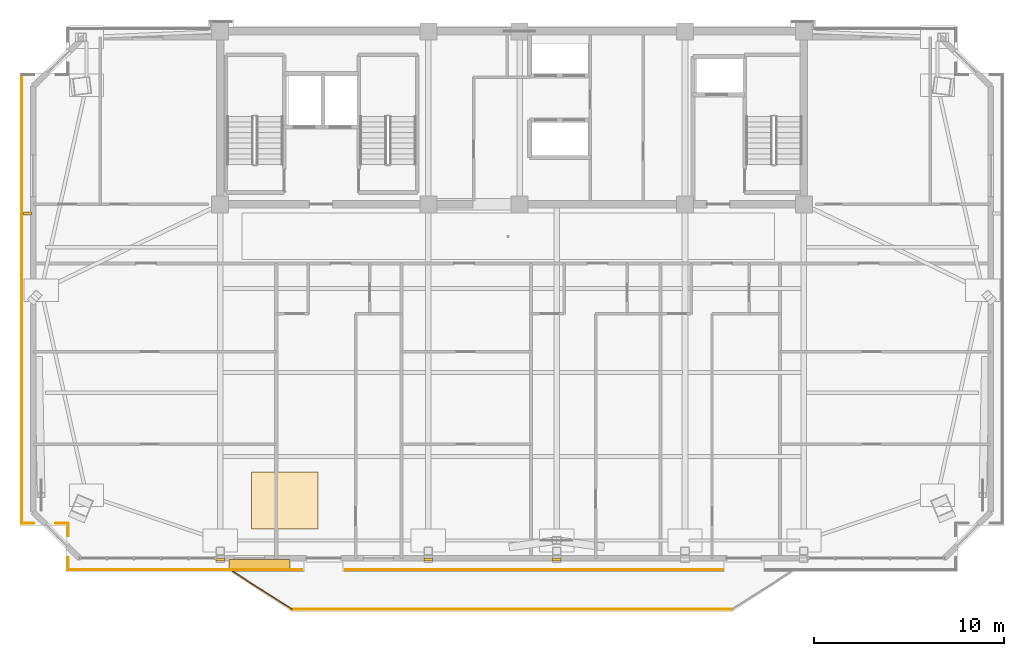
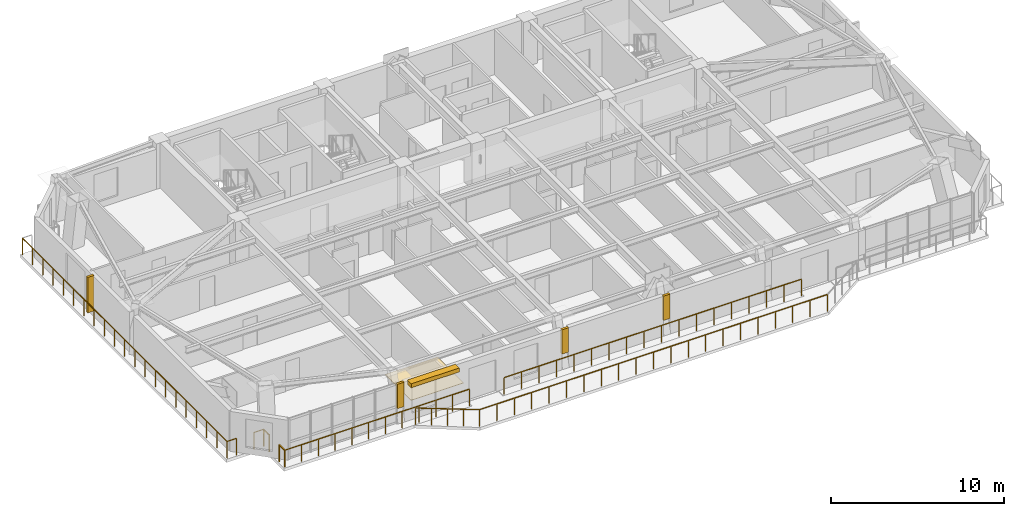
# One storey, part 12 of 15: 9 railings, 4 coverings, 2 shading devices.
"""IFC4 building model written with IfcOpenShell, lengths in metres."""

import ifcopenshell
import ifcopenshell.guid

model = None  # the IFC model being written
_history = None  # IfcOwnerHistory: only IFC2X3 demands one
_inside = {}  # id of a spatial element -> (the spatial element, [elements in it])
_under = {}  # id of a project, library or spatial element -> (it, [spatial elements below it])
_declared = {}  # id of a project -> (the project, [libraries it declares])
_typed = {}  # id of a type object -> (the type object, [elements of that type])
_made_of = {}  # id of a material, layer set ... -> (it, [elements and type objects made of it])


def new_model(schema):
    """Start an empty IFC model of exactly this schema.

    Asked for "IFC4X3", IfcOpenShell would pick the latest addendum, in which some entities
    have other attributes; the version numbers below select the first issue.
    IFC2X3 requires an IfcOwnerHistory on every rooted entity: one is made here for all.
    """
    global model, _history
    if schema == "IFC4X3":
        model = ifcopenshell.file(schema_version=(4, 3, 0, 0))
    else:
        model = ifcopenshell.file(schema=schema)
    _inside.clear()
    _under.clear()
    _declared.clear()
    _typed.clear()
    _made_of.clear()
    _history = None
    if model.schema == "IFC2X3":
        org = make("IfcOrganization", Name="unknown")
        user = make(
            "IfcPersonAndOrganization",
            ThePerson=make("IfcPerson", FamilyName="unknown"),
            TheOrganization=org,
        )
        app = make(
            "IfcApplication",
            ApplicationDeveloper=org,
            Version="unknown",
            ApplicationFullName="unknown",
            ApplicationIdentifier="unknown",
        )
        _history = make(
            "IfcOwnerHistory",
            OwningUser=user,
            OwningApplication=app,
            ChangeAction="ADDED",
            CreationDate=0,
        )
    return model


def make(cls, **values):
    """One entity of the class cls with the attributes given. An attribute that is None is left unset."""
    return model.create_entity(
        cls, **{name: value for name, value in values.items() if value is not None}
    )


def rooted(cls, **values):
    """An entity with a GlobalId (a new one), such as an element, a storey or a relation."""
    return make(cls, GlobalId=ifcopenshell.guid.new(), OwnerHistory=_history, **values)


def si_unit(unit_type, name, prefix=None):
    """IfcSIUnit, for example si_unit("LENGTHUNIT", "METRE", prefix="MILLI")."""
    return make("IfcSIUnit", UnitType=unit_type, Prefix=prefix, Name=name)


def assignment(units):
    """IfcUnitAssignment: the units of a project."""
    return None if units is None else make("IfcUnitAssignment", Units=units)


def point(xyz):
    """IfcCartesianPoint."""
    return None if xyz is None else make("IfcCartesianPoint", Coordinates=xyz)


def direction(xyz):
    """IfcDirection."""
    return None if xyz is None else make("IfcDirection", DirectionRatios=xyz)


def frame(location, z_axis=None, x_axis=None):
    """IfcAxis2Placement3D, a coordinate frame: its origin and axes. An axis left out is left unset."""
    return make(
        "IfcAxis2Placement3D",
        Location=point(location),
        Axis=direction(z_axis),
        RefDirection=direction(x_axis),
    )


def frame_2d(location, x_axis=None):
    """IfcAxis2Placement2D, a coordinate frame in the plane: its origin and x axis."""
    return make(
        "IfcAxis2Placement2D", Location=point(location), RefDirection=direction(x_axis)
    )


def origin():
    """The frame at (0, 0, 0) with its axes left unset."""
    return frame((0.0, 0.0, 0.0))


def origin_2d():
    """The frame at (0, 0) in the plane with its x axis left unset."""
    return frame_2d((0.0, 0.0))


def place(relative_to, where):
    """IfcLocalPlacement: puts the frame where relative to a parent placement (None: the world)."""
    return make(
        "IfcLocalPlacement", PlacementRelTo=relative_to, RelativePlacement=where
    )


def context(
    kind, dimensions, precision=None, world=None, true_north=None, identifier=None
):
    """IfcGeometricRepresentationContext, for example the 3D "Model" context."""
    return make(
        "IfcGeometricRepresentationContext",
        ContextIdentifier=identifier,
        ContextType=kind,
        CoordinateSpaceDimension=dimensions,
        Precision=precision,
        WorldCoordinateSystem=world,
        TrueNorth=true_north,
    )


def subcontext(parent, identifier, kind, view, scale=None):
    """IfcGeometricRepresentationSubContext, for example "Body" below "Model"."""
    return make(
        "IfcGeometricRepresentationSubContext",
        ContextIdentifier=identifier,
        ContextType=kind,
        ParentContext=parent,
        TargetScale=scale,
        TargetView=view,
    )


def project(units=None, contexts=None):
    """IfcProject with its units and contexts."""
    return rooted(
        "IfcProject",
        Name="project",
        RepresentationContexts=contexts,
        UnitsInContext=assignment(units),
    )


def spatial(cls, under=None, at=None, **own):
    """A site, building, storey or space (cls), placed at a placement, below another one or the project."""
    s = rooted(cls, ObjectPlacement=at, **own)
    if under is not None:
        _under.setdefault(under.id(), (under, []))[1].append(s)
    return s


def polyline(points):
    """IfcPolyline through the points."""
    return make("IfcPolyline", Points=[point(p) for p in points])


def profile(cls, at=None, kind="AREA", **sizes):
    """A parametric profile (cls). Its sizes go by their IFC names, for example OverallWidth=200.0."""
    return make(cls, ProfileType=kind, Position=at, **sizes)


def rectangle(**sizes):
    """IfcRectangleProfileDef."""
    return profile("IfcRectangleProfileDef", **sizes)


def outline(outer, holes=None, kind="AREA"):
    """IfcArbitraryClosedProfileDef: a profile drawn as a closed curve; with holes, ...WithVoids."""
    if holes is None:
        return make("IfcArbitraryClosedProfileDef", ProfileType=kind, OuterCurve=outer)
    return make(
        "IfcArbitraryProfileDefWithVoids",
        ProfileType=kind,
        OuterCurve=outer,
        InnerCurves=holes,
    )


def extrude(swept, where, along, depth):
    """IfcExtrudedAreaSolid: the profile swept, set in the frame where, extruded along a direction by depth."""
    return make(
        "IfcExtrudedAreaSolid",
        SweptArea=swept,
        Position=where,
        ExtrudedDirection=direction(along),
        Depth=depth,
    )


def shape(context_of_items, identifier, shape_type, items):
    """IfcShapeRepresentation: the items that make up one representation, for example the "Body"."""
    return make(
        "IfcShapeRepresentation",
        ContextOfItems=context_of_items,
        RepresentationIdentifier=identifier,
        RepresentationType=shape_type,
        Items=items,
    )


def source(mapping_origin, context_of_items, identifier, shape_type, items):
    """IfcRepresentationMap: a shape defined once, which mapped items show again and again."""
    return make(
        "IfcRepresentationMap",
        MappingOrigin=mapping_origin,
        MappedRepresentation=shape(context_of_items, identifier, shape_type, items),
    )


def transform(
    local_origin,
    x_axis=None,
    y_axis=None,
    z_axis=None,
    scale=None,
    scale2=None,
    scale3=None,
    uniform=True,
):
    """IfcCartesianTransformationOperator3D, or its non-uniform kind. x_axis, y_axis, z_axis: its Axis1, 2, 3."""
    if uniform:
        return make(
            "IfcCartesianTransformationOperator3D",
            Axis1=direction(x_axis),
            Axis2=direction(y_axis),
            LocalOrigin=point(local_origin),
            Scale=scale,
            Axis3=direction(z_axis),
        )
    return make(
        "IfcCartesianTransformationOperator3DnonUniform",
        Axis1=direction(x_axis),
        Axis2=direction(y_axis),
        LocalOrigin=point(local_origin),
        Scale=scale,
        Axis3=direction(z_axis),
        Scale2=scale2,
        Scale3=scale3,
    )


def mapped(mapping_source, mapping_target):
    """IfcMappedItem: shows the shape of a source again, moved by a transform."""
    return make(
        "IfcMappedItem", MappingSource=mapping_source, MappingTarget=mapping_target
    )


def material(Name=None, Category=None):
    """IfcMaterial."""
    return make("IfcMaterial", Name=Name, Category=Category)


def layer(
    of_material, thickness, ventilated=None, Name=None, Category=None, Priority=None
):
    """IfcMaterialLayer: one layer of a wall or slab, of a material (None: an air gap)."""
    return make(
        "IfcMaterialLayer",
        Material=of_material,
        LayerThickness=thickness,
        IsVentilated=ventilated,
        Name=Name,
        Category=Category,
        Priority=Priority,
    )


def layer_set(layers, Name=None):
    """IfcMaterialLayerSet."""
    return make("IfcMaterialLayerSet", MaterialLayers=layers, LayerSetName=Name)


def made_of(thing, what):
    """Note that an element or type object is made of a material, layer set ...; save() writes the relation."""
    if what is not None:
        _made_of.setdefault(what.id(), (what, []))[1].append(thing)
    return thing


def type_object(cls, material=None, **own):
    """A type object (cls), such as IfcWallType, which elements share."""
    return made_of(rooted(cls, **own), material)


def element(
    cls,
    number,
    at=None,
    inside=None,
    cuts=None,
    type_object=None,
    material=None,
    context=None,
    identifier="Body",
    shape_type=None,
    held_by="IfcProductDefinitionShape",
    body=None,
    shapes=None,
    **own,
):
    """One element of the class cls, such as IfcWall. Its Tag is "e" and its number.

    at: its placement. inside: the storey or other place that contains it. cuts: it is an
    opening in that element (IfcRelVoidsElement). A single representation is given by context,
    identifier, shape_type and body (its items); several are given by shapes. held_by: the class
    of the entity that holds the representations. save() writes the other relations.
    """
    e = rooted(cls, Tag="e%d" % number, ObjectPlacement=at, **own)
    if body is not None:
        shapes = [shape(context, identifier, shape_type, body)]
    if shapes is not None:
        e.Representation = make(held_by, Representations=shapes)
    if inside is not None:
        _inside.setdefault(inside.id(), (inside, []))[1].append(e)
    if cuts is not None:
        rooted(
            "IfcRelVoidsElement", RelatingBuildingElement=cuts, RelatedOpeningElement=e
        )
    if type_object is not None:
        _typed.setdefault(type_object.id(), (type_object, []))[1].append(e)
    return made_of(e, material)


def aggregate(whole, parts):
    """IfcRelAggregates: a whole, such as a stair, and the parts it consists of."""
    return rooted("IfcRelAggregates", RelatingObject=whole, RelatedObjects=parts)


def save(model, path):
    """Write the relations noted so far, then the file.

    IfcRelAggregates (storeys below a building ...), IfcRelContainedInSpatialStructure (elements
    in a storey), IfcRelDefinesByType, IfcRelAssociatesMaterial and IfcRelDeclares: one each for
    every whole, place, type object, material and project.
    """
    for whole, parts in _under.values():
        aggregate(whole, parts)
    for where, things in _inside.values():
        rooted(
            "IfcRelContainedInSpatialStructure",
            RelatedElements=things,
            RelatingStructure=where,
        )
    for kind, things in _typed.values():
        rooted("IfcRelDefinesByType", RelatedObjects=things, RelatingType=kind)
    for what, things in _made_of.values():
        rooted("IfcRelAssociatesMaterial", RelatedObjects=things, RelatingMaterial=what)
    for by, libraries in _declared.values():
        rooted("IfcRelDeclares", RelatingContext=by, RelatedDefinitions=libraries)
    model.write(path)


model = new_model("IFC4")

# Units and contexts
model_context = context("Model", 3, precision=1e-05, world=origin(), true_north=direction((0.0, 1.0)))
body_context = subcontext(model_context, "Body", "Model", "MODEL_VIEW")
ifc_project = project(units=[si_unit("LENGTHUNIT", "METRE"), si_unit("AREAUNIT", "SQUARE_METRE"), si_unit("VOLUMEUNIT", "CUBIC_METRE"), si_unit("PLANEANGLEUNIT", "RADIAN"), si_unit("MASSUNIT", "GRAM", prefix="KILO")], contexts=[model_context])

# Site, building, storey
site_placement = place(None, origin())
site = spatial("IfcSite", under=ifc_project, at=site_placement, CompositionType="ELEMENT")
building_placement = place(site_placement, origin())
building = spatial("IfcBuilding", under=site, at=building_placement, Name="Giltprow Tower", CompositionType="ELEMENT")
storey_placement = place(building_placement, frame((0.0, 0.0, 300.60009765625)))
storey = spatial("IfcBuildingStorey", under=building, at=storey_placement, Name="L77", CompositionType="ELEMENT", Elevation=300.60009765625)

# Coverings
ifc_material_1 = material(Name="Engineered oak", Category="wood")
ifc_layer_1 = layer(ifc_material_1, 0.02490234375, Name="Engineered oak")
ifc_layer_set_1 = layer_set([ifc_layer_1], Name="Engineered oak")
covering_type_1 = type_object("IfcCoveringType", Name="COV-FLR-TIMBER", PredefinedType="FLOORING", material=ifc_layer_set_1)
covering_1_placement = place(storey_placement, origin())
element("IfcCovering", 1, at=covering_1_placement, inside=storey, type_object=covering_type_1, Name="L77 Residence Oak Parquet Flooring", PredefinedType="FLOORING", context=body_context, shape_type="SweptSolid", body=[
    extrude(outline(polyline([(21.5, 20.3720703125), (25.0, 20.3720703125), (25.0, 23.3720703125), (21.5, 23.3720703125), (21.5, 20.3720703125)])), origin(), (0.0, 0.0, 1.0), 0.02490234375),
])
ifc_material_2 = material(Name="Anodized bronze", Category="metal")
ifc_layer_2 = layer(ifc_material_2, 0.0400390625, Name="Anodized bronze")
ifc_layer_set_2 = layer_set([ifc_layer_2], Name="Anodized bronze")
covering_type_2 = type_object("IfcCoveringType", Name="COV-SOFFIT-BRONZE", PredefinedType="CLADDING", material=ifc_layer_set_2)
covering_2_placement = place(storey_placement, frame((0.0, 0.0, 1.099853515625)))
element("IfcCovering", 2, at=covering_2_placement, inside=storey, type_object=covering_type_2, Name="L77 Setback Pier Closure Cladding S-1", PredefinedType="CLADDING", context=body_context, shape_type="SweptSolid", body=[
    extrude(outline(polyline([(19.625, 18.700927734375), (20.074951171875, 18.700927734375), (20.074951171875, 18.861083984375), (19.625, 18.861083984375), (19.625, 18.700927734375)])), origin(), (0.0, 0.0, 1.0), 1.715087890625),
])
covering_3_placement = place(storey_placement, frame((0.0, 0.0, 1.099853515625)))
element("IfcCovering", 3, at=covering_3_placement, inside=storey, type_object=covering_type_2, Name="L77 Setback Pier Closure Cladding S-2", PredefinedType="CLADDING", context=body_context, shape_type="SweptSolid", body=[
    extrude(outline(polyline([(30.574951171875, 18.700927734375), (31.02490234375, 18.700927734375), (31.02490234375, 18.861083984375), (30.574951171875, 18.861083984375), (30.574951171875, 18.700927734375)])), origin(), (0.0, 0.0, 1.0), 1.715087890625),
])
covering_4_placement = place(storey_placement, frame((0.0, 0.0, 1.099853515625)))
element("IfcCovering", 4, at=covering_4_placement, inside=storey, type_object=covering_type_2, Name="L77 Setback Pier Closure Cladding S-3", PredefinedType="CLADDING", context=body_context, shape_type="SweptSolid", body=[
    extrude(outline(polyline([(37.324951171875, 18.700927734375), (37.77490234375, 18.700927734375), (37.77490234375, 18.861083984375), (37.324951171875, 18.861083984375), (37.324951171875, 18.700927734375)])), origin(), (0.0, 0.0, 1.0), 1.715087890625),
])

# Railings
railing_type = type_object("IfcRailingType", Name="RAIL-BALC-GUARD-1200", PredefinedType="BALUSTRADE", material=ifc_material_2)
railing_1_placement = place(storey_placement, frame((20.52001953125, 18.14111328125, 0.0)))
element("IfcRailing", 5, at=railing_1_placement, inside=storey, type_object=railing_type, Name="L77 Waterfront Balcony Balustrade Seg 1", PredefinedType="BALUSTRADE", context=body_context, shape_type="SweptSolid", body=[
    extrude(rectangle(XDim=0.048095703125, YDim=0.048095703125, at=origin_2d()), frame((0.0, 0.0, 1.17578125), z_axis=(0.842744768896, -0.5383133423, 0.0), x_axis=(0.5383133423, 0.842744768896, 0.0)), (0.0, 0.0, 1.0), 3.678466796875),
    extrude(rectangle(XDim=0.0419921875, YDim=0.0419921875, at=origin_2d()), origin(), (0.0, 0.0, 1.0), 1.15185546875),
    extrude(rectangle(XDim=0.0419921875, YDim=0.0419921875, at=origin_2d()), frame((0.77490234375, -0.4951171875, 0.0)), (0.0, 0.0, 1.0), 1.15185546875),
    extrude(rectangle(XDim=0.0419921875, YDim=0.0419921875, at=origin_2d()), frame((1.550048828125, -0.990234375, 0.0)), (0.0, 0.0, 1.0), 1.15185546875),
    extrude(rectangle(XDim=0.0419921875, YDim=0.0419921875, at=origin_2d()), frame((2.3251953125, -1.485107421875, 0.0)), (0.0, 0.0, 1.0), 1.15185546875),
    extrude(rectangle(XDim=0.0419921875, YDim=0.0419921875, at=origin_2d()), frame((3.10009765625, -1.980224609375, 0.0)), (0.0, 0.0, 1.0), 1.15185546875),
])
railing_2_placement = place(storey_placement, frame((23.6201171875, 16.160888671875, 0.0)))
element("IfcRailing", 6, at=railing_2_placement, inside=storey, type_object=railing_type, Name="L77 Waterfront Balcony Balustrade Seg 2", PredefinedType="BALUSTRADE", context=body_context, shape_type="SweptSolid", body=[
    extrude(rectangle(XDim=0.048095703125, YDim=0.048095703125, at=origin_2d()), frame((0.0, 0.0, 1.17578125), z_axis=(1.0, 0.0, 0.0), x_axis=(0.0, 1.0, 0.0)), (0.0, 0.0, 1.0), 23.159912109375),
    extrude(rectangle(XDim=0.0419921875, YDim=0.0419921875, at=origin_2d()), origin(), (0.0, 0.0, 1.0), 1.15185546875),
    extrude(rectangle(XDim=0.0419921875, YDim=0.0419921875, at=origin_2d()), frame((1.157958984375, 0.0, 0.0)), (0.0, 0.0, 1.0), 1.15185546875),
    extrude(rectangle(XDim=0.0419921875, YDim=0.0419921875, at=origin_2d()), frame((2.31591796875, 0.0, 0.0)), (0.0, 0.0, 1.0), 1.15185546875),
    extrude(rectangle(XDim=0.0419921875, YDim=0.0419921875, at=origin_2d()), frame((3.473876953125, 0.0, 0.0)), (0.0, 0.0, 1.0), 1.15185546875),
    extrude(rectangle(XDim=0.0419921875, YDim=0.0419921875, at=origin_2d()), frame((4.632080078125, 0.0, 0.0)), (0.0, 0.0, 1.0), 1.15185546875),
    extrude(rectangle(XDim=0.0419921875, YDim=0.0419921875, at=origin_2d()), frame((5.7900390625, 0.0, 0.0)), (0.0, 0.0, 1.0), 1.15185546875),
    extrude(rectangle(XDim=0.0419921875, YDim=0.0419921875, at=origin_2d()), frame((6.947998046875, 0.0, 0.0)), (0.0, 0.0, 1.0), 1.15185546875),
    extrude(rectangle(XDim=0.0419921875, YDim=0.0419921875, at=origin_2d()), frame((8.10595703125, 0.0, 0.0)), (0.0, 0.0, 1.0), 1.15185546875),
    extrude(rectangle(XDim=0.0419921875, YDim=0.0419921875, at=origin_2d()), frame((9.263916015625, 0.0, 0.0)), (0.0, 0.0, 1.0), 1.15185546875),
    extrude(rectangle(XDim=0.0419921875, YDim=0.0419921875, at=origin_2d()), frame((10.421875, 0.0, 0.0)), (0.0, 0.0, 1.0), 1.15185546875),
    extrude(rectangle(XDim=0.0419921875, YDim=0.0419921875, at=origin_2d()), frame((11.580078125, 0.0, 0.0)), (0.0, 0.0, 1.0), 1.15185546875),
    extrude(rectangle(XDim=0.0419921875, YDim=0.0419921875, at=origin_2d()), frame((12.738037109375, 0.0, 0.0)), (0.0, 0.0, 1.0), 1.15185546875),
    extrude(rectangle(XDim=0.0419921875, YDim=0.0419921875, at=origin_2d()), frame((13.89599609375, 0.0, 0.0)), (0.0, 0.0, 1.0), 1.15185546875),
    extrude(rectangle(XDim=0.0419921875, YDim=0.0419921875, at=origin_2d()), frame((15.053955078125, 0.0, 0.0)), (0.0, 0.0, 1.0), 1.15185546875),
    extrude(rectangle(XDim=0.0419921875, YDim=0.0419921875, at=origin_2d()), frame((16.2119140625, 0.0, 0.0)), (0.0, 0.0, 1.0), 1.15185546875),
    extrude(rectangle(XDim=0.0419921875, YDim=0.0419921875, at=origin_2d()), frame((17.369873046875, 0.0, 0.0)), (0.0, 0.0, 1.0), 1.15185546875),
    extrude(rectangle(XDim=0.0419921875, YDim=0.0419921875, at=origin_2d()), frame((18.52783203125, 0.0, 0.0)), (0.0, 0.0, 1.0), 1.15185546875),
    extrude(rectangle(XDim=0.0419921875, YDim=0.0419921875, at=origin_2d()), frame((19.68603515625, 0.0, 0.0)), (0.0, 0.0, 1.0), 1.15185546875),
    extrude(rectangle(XDim=0.0419921875, YDim=0.0419921875, at=origin_2d()), frame((20.843994140625, 0.0, 0.0)), (0.0, 0.0, 1.0), 1.15185546875),
    extrude(rectangle(XDim=0.0419921875, YDim=0.0419921875, at=origin_2d()), frame((22.001953125, 0.0, 0.0)), (0.0, 0.0, 1.0), 1.15185546875),
    extrude(rectangle(XDim=0.0419921875, YDim=0.0419921875, at=origin_2d()), frame((23.159912109375, 0.0, 0.0)), (0.0, 0.0, 1.0), 1.15185546875),
])
railing_3_placement = place(storey_placement, frame((46.25, 18.240966796875, 0.0)))
element("IfcRailing", 7, at=railing_3_placement, inside=storey, type_object=railing_type, Name="L77 Corner Apron Edge Balustrade 7", PredefinedType="BALUSTRADE", context=body_context, shape_type="SweptSolid", body=[
    extrude(rectangle(XDim=0.048095703125, YDim=0.048095703125, at=origin_2d()), frame((0.0, 0.0, 1.17578125), z_axis=(-1.0, 0.0, 0.0), x_axis=(0.0, -1.0, 0.0)), (0.0, 0.0, 1.0), 19.800048828125),
    extrude(rectangle(XDim=0.0419921875, YDim=0.0419921875, at=origin_2d()), origin(), (0.0, 0.0, 1.0), 1.15185546875),
    extrude(rectangle(XDim=0.0419921875, YDim=0.0419921875, at=origin_2d()), frame((-1.164794921875, 0.0, 0.0)), (0.0, 0.0, 1.0), 1.15185546875),
    extrude(rectangle(XDim=0.0419921875, YDim=0.0419921875, at=origin_2d()), frame((-2.329345703125, 0.0, 0.0)), (0.0, 0.0, 1.0), 1.15185546875),
    extrude(rectangle(XDim=0.0419921875, YDim=0.0419921875, at=origin_2d()), frame((-3.494140625, 0.0, 0.0)), (0.0, 0.0, 1.0), 1.15185546875),
    extrude(rectangle(XDim=0.0419921875, YDim=0.0419921875, at=origin_2d()), frame((-4.658935546875, 0.0, 0.0)), (0.0, 0.0, 1.0), 1.15185546875),
    extrude(rectangle(XDim=0.0419921875, YDim=0.0419921875, at=origin_2d()), frame((-5.823486328125, 0.0, 0.0)), (0.0, 0.0, 1.0), 1.15185546875),
    extrude(rectangle(XDim=0.0419921875, YDim=0.0419921875, at=origin_2d()), frame((-6.98828125, 0.0, 0.0)), (0.0, 0.0, 1.0), 1.15185546875),
    extrude(rectangle(XDim=0.0419921875, YDim=0.0419921875, at=origin_2d()), frame((-8.153076171875, 0.0, 0.0)), (0.0, 0.0, 1.0), 1.15185546875),
    extrude(rectangle(XDim=0.0419921875, YDim=0.0419921875, at=origin_2d()), frame((-9.317626953125, 0.0, 0.0)), (0.0, 0.0, 1.0), 1.15185546875),
    extrude(rectangle(XDim=0.0419921875, YDim=0.0419921875, at=origin_2d()), frame((-10.482421875, 0.0, 0.0)), (0.0, 0.0, 1.0), 1.15185546875),
    extrude(rectangle(XDim=0.0419921875, YDim=0.0419921875, at=origin_2d()), frame((-11.64697265625, 0.0, 0.0)), (0.0, 0.0, 1.0), 1.15185546875),
    extrude(rectangle(XDim=0.0419921875, YDim=0.0419921875, at=origin_2d()), frame((-12.811767578125, 0.0, 0.0)), (0.0, 0.0, 1.0), 1.15185546875),
    extrude(rectangle(XDim=0.0419921875, YDim=0.0419921875, at=origin_2d()), frame((-13.9765625, 0.0, 0.0)), (0.0, 0.0, 1.0), 1.15185546875),
    extrude(rectangle(XDim=0.0419921875, YDim=0.0419921875, at=origin_2d()), frame((-15.14111328125, 0.0, 0.0)), (0.0, 0.0, 1.0), 1.15185546875),
    extrude(rectangle(XDim=0.0419921875, YDim=0.0419921875, at=origin_2d()), frame((-16.305908203125, 0.0, 0.0)), (0.0, 0.0, 1.0), 1.15185546875),
    extrude(rectangle(XDim=0.0419921875, YDim=0.0419921875, at=origin_2d()), frame((-17.470703125, 0.0, 0.0)), (0.0, 0.0, 1.0), 1.15185546875),
    extrude(rectangle(XDim=0.0419921875, YDim=0.0419921875, at=origin_2d()), frame((-18.63525390625, 0.0, 0.0)), (0.0, 0.0, 1.0), 1.15185546875),
    extrude(rectangle(XDim=0.0419921875, YDim=0.0419921875, at=origin_2d()), frame((-19.800048828125, 0.0, 0.0)), (0.0, 0.0, 1.0), 1.15185546875),
])
railing_4_placement = place(storey_placement, frame((24.14990234375, 18.240966796875, 0.0)))
element("IfcRailing", 8, at=railing_4_placement, inside=storey, type_object=railing_type, Name="L77 Corner Apron Edge Balustrade 8", PredefinedType="BALUSTRADE", context=body_context, shape_type="SweptSolid", body=[
    extrude(rectangle(XDim=0.048095703125, YDim=0.048095703125, at=origin_2d()), frame((0.0, 0.0, 1.17578125), z_axis=(-1.0, 0.0, 0.0), x_axis=(0.0, -1.0, 0.0)), (0.0, 0.0, 1.0), 12.294921875),
    extrude(rectangle(XDim=0.0419921875, YDim=0.0419921875, at=origin_2d()), origin(), (0.0, 0.0, 1.0), 1.15185546875),
    extrude(rectangle(XDim=0.0419921875, YDim=0.0419921875, at=origin_2d()), frame((-1.11767578125, 0.0, 0.0)), (0.0, 0.0, 1.0), 1.15185546875),
    extrude(rectangle(XDim=0.0419921875, YDim=0.0419921875, at=origin_2d()), frame((-2.2353515625, 0.0, 0.0)), (0.0, 0.0, 1.0), 1.15185546875),
    extrude(rectangle(XDim=0.0419921875, YDim=0.0419921875, at=origin_2d()), frame((-3.353271484375, 0.0, 0.0)), (0.0, 0.0, 1.0), 1.15185546875),
    extrude(rectangle(XDim=0.0419921875, YDim=0.0419921875, at=origin_2d()), frame((-4.470947265625, 0.0, 0.0)), (0.0, 0.0, 1.0), 1.15185546875),
    extrude(rectangle(XDim=0.0419921875, YDim=0.0419921875, at=origin_2d()), frame((-5.588623046875, 0.0, 0.0)), (0.0, 0.0, 1.0), 1.15185546875),
    extrude(rectangle(XDim=0.0419921875, YDim=0.0419921875, at=origin_2d()), frame((-6.706298828125, 0.0, 0.0)), (0.0, 0.0, 1.0), 1.15185546875),
    extrude(rectangle(XDim=0.0419921875, YDim=0.0419921875, at=origin_2d()), frame((-7.823974609375, 0.0, 0.0)), (0.0, 0.0, 1.0), 1.15185546875),
    extrude(rectangle(XDim=0.0419921875, YDim=0.0419921875, at=origin_2d()), frame((-8.941650390625, 0.0, 0.0)), (0.0, 0.0, 1.0), 1.15185546875),
    extrude(rectangle(XDim=0.0419921875, YDim=0.0419921875, at=origin_2d()), frame((-10.0595703125, 0.0, 0.0)), (0.0, 0.0, 1.0), 1.15185546875),
    extrude(rectangle(XDim=0.0419921875, YDim=0.0419921875, at=origin_2d()), frame((-11.17724609375, 0.0, 0.0)), (0.0, 0.0, 1.0), 1.15185546875),
    extrude(rectangle(XDim=0.0419921875, YDim=0.0419921875, at=origin_2d()), frame((-12.294921875, 0.0, 0.0)), (0.0, 0.0, 1.0), 1.15185546875),
])
railing_5_placement = place(storey_placement, frame((11.85498046875, 18.240966796875, 0.0)))
element("IfcRailing", 9, at=railing_5_placement, inside=storey, type_object=railing_type, Name="L77 Corner Apron Edge Balustrade 9", PredefinedType="BALUSTRADE", context=body_context, shape_type="SweptSolid", body=[
    extrude(rectangle(XDim=0.048095703125, YDim=0.048095703125, at=origin_2d()), frame((0.0, 0.0, 1.17578125), z_axis=(0.0, 1.0, 0.0), x_axis=(-1.0, 0.0, 0.0)), (0.0, 0.0, 1.0), 0.6201171875),
    extrude(rectangle(XDim=0.0419921875, YDim=0.0419921875, at=origin_2d()), origin(), (0.0, 0.0, 1.0), 1.15185546875),
    extrude(rectangle(XDim=0.0419921875, YDim=0.0419921875, at=origin_2d()), frame((0.0, 0.6201171875, 0.0)), (0.0, 0.0, 1.0), 1.15185546875),
])
railing_6_placement = place(storey_placement, frame((11.85498046875, 20.02099609375, 0.0)))
element("IfcRailing", 10, at=railing_6_placement, inside=storey, type_object=railing_type, Name="L77 Corner Apron Edge Balustrade 10", PredefinedType="BALUSTRADE", context=body_context, shape_type="SweptSolid", body=[
    extrude(rectangle(XDim=0.048095703125, YDim=0.048095703125, at=origin_2d()), frame((0.0, 0.0, 1.17578125), z_axis=(0.0, 1.0, 0.0), x_axis=(-1.0, 0.0, 0.0)), (0.0, 0.0, 1.0), 0.651123046875),
    extrude(rectangle(XDim=0.0419921875, YDim=0.0419921875, at=origin_2d()), origin(), (0.0, 0.0, 1.0), 1.15185546875),
    extrude(rectangle(XDim=0.0419921875, YDim=0.0419921875, at=origin_2d()), frame((0.0, 0.651123046875, 0.0)), (0.0, 0.0, 1.0), 1.15185546875),
])
railing_7_placement = place(storey_placement, frame((11.85498046875, 20.672119140625, 0.0)))
element("IfcRailing", 11, at=railing_7_placement, inside=storey, type_object=railing_type, Name="L77 Corner Apron Edge Balustrade 11", PredefinedType="BALUSTRADE", context=body_context, shape_type="SweptSolid", body=[
    extrude(rectangle(XDim=0.048095703125, YDim=0.048095703125, at=origin_2d()), frame((0.0, 0.0, 1.17578125), z_axis=(-1.0, 0.0, 0.0), x_axis=(0.0, -1.0, 0.0)), (0.0, 0.0, 1.0), 0.65087890625),
    extrude(rectangle(XDim=0.0419921875, YDim=0.0419921875, at=origin_2d()), origin(), (0.0, 0.0, 1.0), 1.15185546875),
    extrude(rectangle(XDim=0.0419921875, YDim=0.0419921875, at=origin_2d()), frame((-0.65087890625, 0.0, 0.0)), (0.0, 0.0, 1.0), 1.15185546875),
])
railing_8_placement = place(storey_placement, frame((10.0439453125, 20.672119140625, 0.0)))
element("IfcRailing", 12, at=railing_8_placement, inside=storey, type_object=railing_type, Name="L77 Corner Apron Edge Balustrade 12", PredefinedType="BALUSTRADE", context=body_context, shape_type="SweptSolid", body=[
    extrude(rectangle(XDim=0.048095703125, YDim=0.048095703125, at=origin_2d()), frame((0.0, 0.0, 1.17578125), z_axis=(-1.0, 0.0, 0.0), x_axis=(0.0, -1.0, 0.0)), (0.0, 0.0, 1.0), 0.619873046875),
    extrude(rectangle(XDim=0.0419921875, YDim=0.0419921875, at=origin_2d()), origin(), (0.0, 0.0, 1.0), 1.15185546875),
    extrude(rectangle(XDim=0.0419921875, YDim=0.0419921875, at=origin_2d()), frame((-0.619873046875, 0.0, 0.0)), (0.0, 0.0, 1.0), 1.15185546875),
])
railing_9_placement = place(storey_placement, frame((9.424072265625, 20.672119140625, 0.0)))
element("IfcRailing", 13, at=railing_9_placement, inside=storey, type_object=railing_type, Name="L77 Corner Apron Edge Balustrade 13", PredefinedType="BALUSTRADE", context=body_context, shape_type="SweptSolid", body=[
    extrude(rectangle(XDim=0.048095703125, YDim=0.048095703125, at=origin_2d()), frame((0.0, 0.0, 1.17578125), z_axis=(0.0, 1.0, 0.0), x_axis=(-1.0, 0.0, 0.0)), (0.0, 0.0, 1.0), 23.597900390625),
    extrude(rectangle(XDim=0.0419921875, YDim=0.0419921875, at=origin_2d()), origin(), (0.0, 0.0, 1.0), 1.15185546875),
    extrude(rectangle(XDim=0.0419921875, YDim=0.0419921875, at=origin_2d()), frame((0.0, 1.179931640625, 0.0)), (0.0, 0.0, 1.0), 1.15185546875),
    extrude(rectangle(XDim=0.0419921875, YDim=0.0419921875, at=origin_2d()), frame((0.0, 2.35986328125, 0.0)), (0.0, 0.0, 1.0), 1.15185546875),
    extrude(rectangle(XDim=0.0419921875, YDim=0.0419921875, at=origin_2d()), frame((0.0, 3.539794921875, 0.0)), (0.0, 0.0, 1.0), 1.15185546875),
    extrude(rectangle(XDim=0.0419921875, YDim=0.0419921875, at=origin_2d()), frame((0.0, 4.719482421875, 0.0)), (0.0, 0.0, 1.0), 1.15185546875),
    extrude(rectangle(XDim=0.0419921875, YDim=0.0419921875, at=origin_2d()), frame((0.0, 5.8994140625, 0.0)), (0.0, 0.0, 1.0), 1.15185546875),
    extrude(rectangle(XDim=0.0419921875, YDim=0.0419921875, at=origin_2d()), frame((0.0, 7.079345703125, 0.0)), (0.0, 0.0, 1.0), 1.15185546875),
    extrude(rectangle(XDim=0.0419921875, YDim=0.0419921875, at=origin_2d()), frame((0.0, 8.25927734375, 0.0)), (0.0, 0.0, 1.0), 1.15185546875),
    extrude(rectangle(XDim=0.0419921875, YDim=0.0419921875, at=origin_2d()), frame((0.0, 9.439208984375, 0.0)), (0.0, 0.0, 1.0), 1.15185546875),
    extrude(rectangle(XDim=0.0419921875, YDim=0.0419921875, at=origin_2d()), frame((0.0, 10.619140625, 0.0)), (0.0, 0.0, 1.0), 1.15185546875),
    extrude(rectangle(XDim=0.0419921875, YDim=0.0419921875, at=origin_2d()), frame((0.0, 11.798828125, 0.0)), (0.0, 0.0, 1.0), 1.15185546875),
    extrude(rectangle(XDim=0.0419921875, YDim=0.0419921875, at=origin_2d()), frame((0.0, 12.978759765625, 0.0)), (0.0, 0.0, 1.0), 1.15185546875),
    extrude(rectangle(XDim=0.0419921875, YDim=0.0419921875, at=origin_2d()), frame((0.0, 14.15869140625, 0.0)), (0.0, 0.0, 1.0), 1.15185546875),
    extrude(rectangle(XDim=0.0419921875, YDim=0.0419921875, at=origin_2d()), frame((0.0, 15.338623046875, 0.0)), (0.0, 0.0, 1.0), 1.15185546875),
    extrude(rectangle(XDim=0.0419921875, YDim=0.0419921875, at=origin_2d()), frame((0.0, 16.5185546875, 0.0)), (0.0, 0.0, 1.0), 1.15185546875),
    extrude(rectangle(XDim=0.0419921875, YDim=0.0419921875, at=origin_2d()), frame((0.0, 17.698486328125, 0.0)), (0.0, 0.0, 1.0), 1.15185546875),
    extrude(rectangle(XDim=0.0419921875, YDim=0.0419921875, at=origin_2d()), frame((0.0, 18.87841796875, 0.0)), (0.0, 0.0, 1.0), 1.15185546875),
    extrude(rectangle(XDim=0.0419921875, YDim=0.0419921875, at=origin_2d()), frame((0.0, 20.05810546875, 0.0)), (0.0, 0.0, 1.0), 1.15185546875),
    extrude(rectangle(XDim=0.0419921875, YDim=0.0419921875, at=origin_2d()), frame((0.0, 21.238037109375, 0.0)), (0.0, 0.0, 1.0), 1.15185546875),
    extrude(rectangle(XDim=0.0419921875, YDim=0.0419921875, at=origin_2d()), frame((0.0, 22.41796875, 0.0)), (0.0, 0.0, 1.0), 1.15185546875),
    extrude(rectangle(XDim=0.0419921875, YDim=0.0419921875, at=origin_2d()), frame((0.0, 23.597900390625, 0.0)), (0.0, 0.0, 1.0), 1.15185546875),
])

# Shading devices
shading_device_type_1 = type_object("IfcShadingDeviceType", Name="SHD-FIN-420", PredefinedType="USERDEFINED", material=ifc_material_2)
shared_shape_1 = source(origin(), body_context, "Body", "SweptSolid", [
    extrude(rectangle(XDim=0.419921875, YDim=0.159912109375, at=origin_2d()), origin(), (0.0, 0.0, 1.0), 2.5),
])
shading_device_1_placement = place(storey_placement, frame((9.72412109375, 36.9619140625, 0.349853515625), z_axis=(0.0, 0.0, 1.0), x_axis=(1.0, 0.0, 0.0)))
element("IfcShadingDevice", 14, at=shading_device_1_placement, inside=storey, type_object=shading_device_type_1, Name="L77 W Bronze Vertical Fin 2-1", ObjectType="FIN", PredefinedType="USERDEFINED", context=body_context, shape_type="MappedRepresentation", body=[
    mapped(shared_shape_1, transform((0.0, 0.0, 0.0), x_axis=(1.0, 0.0, 0.0), y_axis=(0.0, 1.0, 0.0), z_axis=(0.0, 0.0, 1.0), scale=1.0)),
])
shading_device_type_2 = type_object("IfcShadingDeviceType", Name="SHD-LOUVRE-320", PredefinedType="JALOUSIE", material=ifc_material_2)
shared_shape_2 = source(origin(), body_context, "Body", "SweptSolid", [
    extrude(rectangle(XDim=3.199951171875, YDim=0.449951171875, at=origin_2d()), origin(), (0.0, 0.0, 1.0), 0.280029296875),
])
shading_device_2_placement = place(storey_placement, frame((21.925048828125, 18.541015625, 2.56005859375), z_axis=(0.0, 0.0, 1.0), x_axis=(1.0, 0.0, 0.0)))
element("IfcShadingDevice", 15, at=shading_device_2_placement, inside=storey, type_object=shading_device_type_2, Name="L77 Bronze Sunshade Louvre S-2", PredefinedType="JALOUSIE", context=body_context, shape_type="MappedRepresentation", body=[
    mapped(shared_shape_2, transform((0.0, 0.0, 0.0), x_axis=(1.0, 0.0, 0.0), y_axis=(0.0, 1.0, 0.0), z_axis=(0.0, 0.0, 1.0), scale=1.0)),
])

save(model, "model.ifc")
